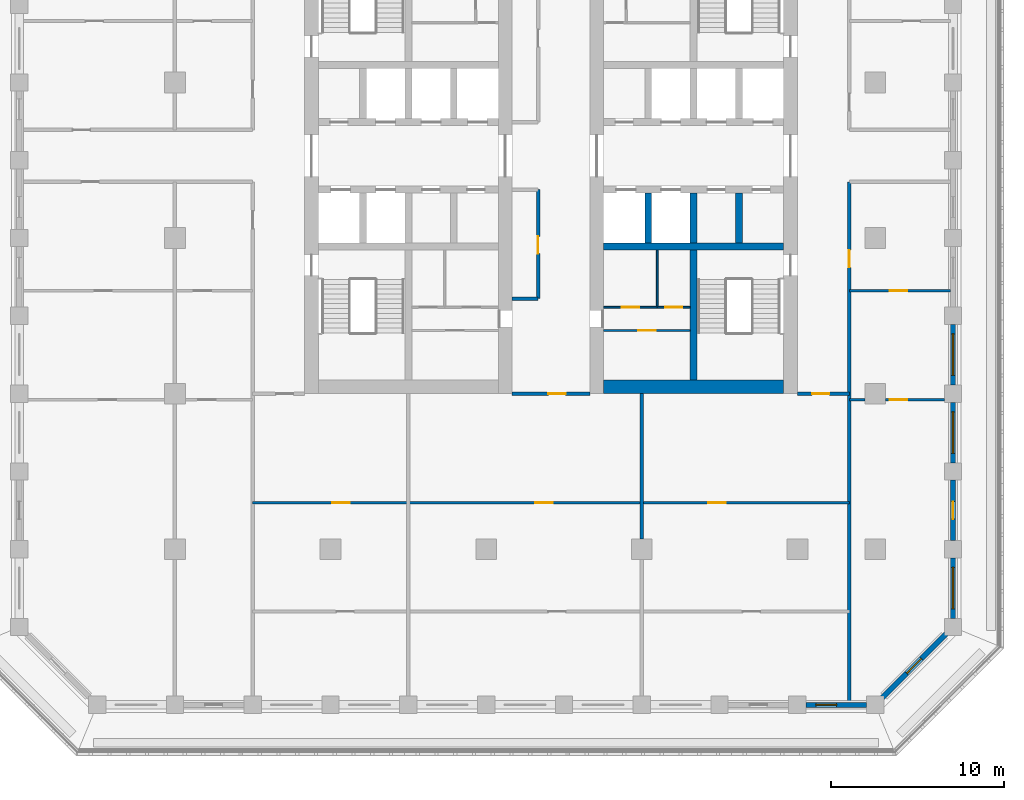
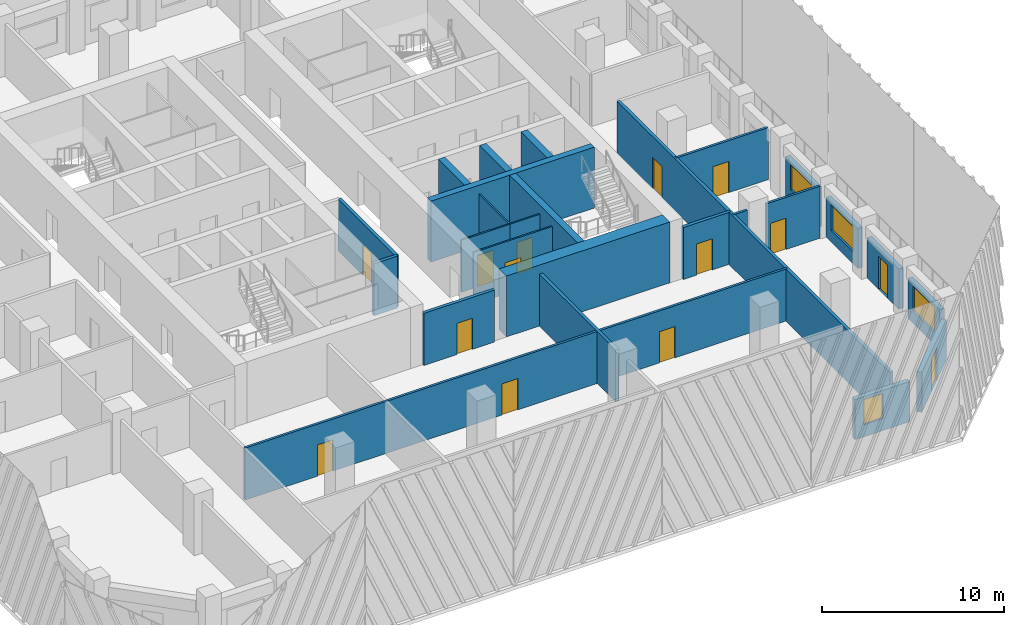
# One storey, part 4 of 18: 26 walls, 14 doors, 4 windows, 18 openings.
"""IFC4 building model written with IfcOpenShell, lengths in metres."""

from ifc_helpers import new_model, si_unit, direction, frame, frame_2d, origin, place, context, subcontext, project, spatial, rectangle, extrude, material, layer, layer_set, type_object, element, fill, save


model = new_model("IFC4")

# Units and contexts
model_context = context("Model", 3, precision=1e-05, world=origin(), true_north=direction((0.0, 1.0)))
body_context = subcontext(model_context, "Body", "Model", "MODEL_VIEW")
ifc_project = project(units=[si_unit("LENGTHUNIT", "METRE"), si_unit("AREAUNIT", "SQUARE_METRE"), si_unit("VOLUMEUNIT", "CUBIC_METRE"), si_unit("PLANEANGLEUNIT", "RADIAN"), si_unit("MASSUNIT", "GRAM", prefix="KILO")], contexts=[model_context])

# Site, building, storey
site_placement = place(None, origin())
site = spatial("IfcSite", under=ifc_project, at=site_placement, CompositionType="ELEMENT")
building_placement = place(site_placement, origin())
building = spatial("IfcBuilding", under=site, at=building_placement, Name="Corbel Stack Research Tower", CompositionType="ELEMENT")
storey_placement = place(building_placement, frame((0.0, 0.0, 181.39990234375)))
storey = spatial("IfcBuildingStorey", under=building, at=storey_placement, Name="L41", CompositionType="ELEMENT", Elevation=181.39990234375)

# Walls
ifc_material_1 = material(Name="Concrete C60/75", Category="concrete")
ifc_layer_1 = layer(ifc_material_1, 0.39990234375)
ifc_layer_set_1 = layer_set([ifc_layer_1], Name="Concrete C60/75")
wall_type_1 = type_object("IfcWallType", Name="CW-400-60", PredefinedType="SHEAR", material=ifc_layer_set_1)
wall_1_placement = place(storey_placement, frame((6.800048828125, -0.5, 0.0), z_axis=(0.0, 0.0, 1.0), x_axis=(1.0, 0.0, 0.0)))
element("IfcWall", 1, at=wall_1_placement, inside=storey, type_object=wall_type_1, Name="East core wall, south row back L41", PredefinedType="SHEAR", context=body_context, shape_type="SweptSolid", body=[
    extrude(rectangle(XDim=10.39990234375, YDim=0.39990234375, at=frame_2d((5.199951171875, 0.0))), origin(), (0.0, 0.0, 1.0), 4.10009765625),
])
for number, where, z_axis, x_axis, name in (
    (2, (9.375, -0.300048828125, 0.0), (0.0, 0.0, 1.0), (0.0, 1.0, 0.0), "East core wall, south shaft 1 L41"),
    (3, (12.0, -0.300048828125, 0.0), (0.0, 0.0, 1.0), (0.0, 1.0, 0.0), "East core wall, south shaft 2 L41"),
    (4, (14.625, -0.300048828125, 0.0), (0.0, 0.0, 1.0), (0.0, 1.0, 0.0), "East core wall, south shaft 3 L41"),
):
    element("IfcWall", number, at=place(storey_placement, frame(where, z_axis=z_axis, x_axis=x_axis)), inside=storey, type_object=wall_type_1, Name=name, PredefinedType="SHEAR", context=body_context, shape_type="SweptSolid", body=[
        extrude(rectangle(XDim=2.900146484375, YDim=0.39990234375, at=frame_2d((1.4501953125, 0.0))), origin(), (0.0, 0.0, 1.0), 4.10009765625),
    ])
wall_2_placement = place(storey_placement, frame((12.0, -8.199951171875, 0.0), z_axis=(0.0, 0.0, 1.0), x_axis=(0.0, 1.0, 0.0)))
element("IfcWall", 5, at=wall_2_placement, inside=storey, type_object=wall_type_1, Name="East core wall, south stair and WC L41", PredefinedType="SHEAR", context=body_context, shape_type="SweptSolid", body=[
    extrude(rectangle(XDim=7.5, YDim=0.39990234375, at=frame_2d((3.75, 0.0))), origin(), (0.0, 0.0, 1.0), 4.10009765625),
])
ifc_material_2 = material(Name="Concrete C60/75", Category="concrete")
ifc_layer_2 = layer(ifc_material_2, 0.800048828125)
ifc_layer_set_2 = layer_set([ifc_layer_2], Name="Concrete C60/75")
wall_type_2 = type_object("IfcWallType", Name="CW-800-60", PredefinedType="SHEAR", material=ifc_layer_set_2)
wall_3_placement = place(storey_placement, frame((6.800048828125, -8.60009765625, 0.0), z_axis=(0.0, 0.0, 1.0), x_axis=(1.0, 0.0, 0.0)))
element("IfcWall", 6, at=wall_3_placement, inside=storey, type_object=wall_type_2, Name="East core wall, south end L41", PredefinedType="SHEAR", context=body_context, shape_type="SweptSolid", body=[
    extrude(rectangle(XDim=10.39990234375, YDim=0.800048828125, at=frame_2d((5.199951171875, 0.0))), origin(), (0.0, 0.0, 1.0), 4.10009765625),
])

# Wall, opening, door
ifc_material_3 = material(Name="Gypsum board")
ifc_layer_3 = layer(ifc_material_3, 0.10009765625)
ifc_layer_set_3 = layer_set([ifc_layer_3], Name="Gypsum board")
wall_type_3 = type_object("IfcWallType", Name="Core partition 100", PredefinedType="PARTITIONING", material=ifc_layer_set_3)
wall_4_placement = place(storey_placement, frame((6.800048828125, -5.35009765625, 0.0), z_axis=(0.0, 0.0, 1.0), x_axis=(1.0, 0.0, 0.0)))
wall_4 = element("IfcWall", 7, at=wall_4_placement, inside=storey, type_object=wall_type_3, Name="Core partition E", PredefinedType="PARTITIONING", context=body_context, shape_type="SweptSolid", body=[
    extrude(rectangle(XDim=5.0, YDim=0.10009765625, at=frame_2d((2.5, 0.0))), origin(), (0.0, 0.0, 1.0), 3.5),
])
opening_1_placement = place(wall_4_placement, frame((2.0, 0.0, 0.0)))
opening_1 = element("IfcOpeningElement", 8, at=opening_1_placement, cuts=wall_4, Name="Opening CR-E24-W2-1000", PredefinedType="OPENING", context=body_context, shape_type="SweptSolid", body=[
    extrude(rectangle(XDim=1.0, YDim=2.10009765625, at=frame_2d((0.5, 1.050048828125))), frame((0.0, 0.06005859375, 0.0), z_axis=(0.0, -1.0, 0.0), x_axis=(1.0, 0.0, 0.0)), (0.0, 0.0, 1.0), 0.1201171875),
])
ifc_material_4 = material(Name="Painted timber door", Category="wood")
door_type_1 = type_object("IfcDoorType", Name="WC door 1000 x 2100 left hand", OperationType="SINGLE_SWING_LEFT", PredefinedType="DOOR", material=ifc_material_4)
door_1_placement = place(opening_1_placement, origin())
door_1 = element("IfcDoor", 9, at=door_1_placement, inside=storey, type_object=door_type_1, Name="Men's WC door E core", OperationType="SINGLE_SWING_LEFT", OverallHeight=2.10009765625, OverallWidth=1.0, PredefinedType="DOOR", context=body_context, shape_type="SweptSolid", body=[
    extrude(rectangle(XDim=1.0, YDim=2.10009765625, at=frame_2d((0.5, 1.050048828125))), frame((0.0, 0.02490234375, 0.0), z_axis=(0.0, -1.0, 0.0), x_axis=(1.0, 0.0, 0.0)), (0.0, 0.0, 1.0), 0.050048828125),
])
fill(opening_1, door_1)

wall_5_placement = place(storey_placement, frame((6.800048828125, -4.0, 0.0), z_axis=(0.0, 0.0, 1.0), x_axis=(1.0, 0.0, 0.0)))
wall_5 = element("IfcWall", 10, at=wall_5_placement, inside=storey, type_object=wall_type_3, Name="Core partition E", PredefinedType="PARTITIONING", context=body_context, shape_type="SweptSolid", body=[
    extrude(rectangle(XDim=3.099853515625, YDim=0.10009765625, at=frame_2d((1.5498046875, 0.0))), origin(), (0.0, 0.0, 1.0), 3.5),
])
opening_2_placement = place(wall_5_placement, frame((1.050048828125, 0.0, 0.0)))
opening_2 = element("IfcOpeningElement", 11, at=opening_2_placement, cuts=wall_5, Name="Opening CR-E24-W3-1000", PredefinedType="OPENING", context=body_context, shape_type="SweptSolid", body=[
    extrude(rectangle(XDim=1.0, YDim=2.10009765625, at=frame_2d((0.5, 1.050048828125))), frame((0.0, 0.06005859375, 0.0), z_axis=(0.0, -1.0, 0.0), x_axis=(1.0, 0.0, 0.0)), (0.0, 0.0, 1.0), 0.1201171875),
])
ifc_material_5 = material(Name="Painted timber door", Category="wood")
door_type_2 = type_object("IfcDoorType", Name="WC door 1000 x 2100 right hand", OperationType="SINGLE_SWING_RIGHT", PredefinedType="DOOR", material=ifc_material_5)
door_2_placement = place(opening_2_placement, origin())
door_2 = element("IfcDoor", 12, at=door_2_placement, inside=storey, type_object=door_type_2, Name="Women's WC door E core", OperationType="SINGLE_SWING_RIGHT", OverallHeight=2.10009765625, OverallWidth=1.0, PredefinedType="DOOR", context=body_context, shape_type="SweptSolid", body=[
    extrude(rectangle(XDim=1.0, YDim=2.10009765625, at=frame_2d((0.5, 1.050048828125))), frame((0.0, 0.02490234375, 0.0), z_axis=(0.0, -1.0, 0.0), x_axis=(1.0, 0.0, 0.0)), (0.0, 0.0, 1.0), 0.050048828125),
])
fill(opening_2, door_2)

wall_6_placement = place(storey_placement, frame((9.89990234375, -4.0, 0.0), z_axis=(0.0, 0.0, 1.0), x_axis=(1.0, 0.0, 0.0)))
wall_6 = element("IfcWall", 13, at=wall_6_placement, inside=storey, type_object=wall_type_3, Name="Core partition E", PredefinedType="PARTITIONING", context=body_context, shape_type="SweptSolid", body=[
    extrude(rectangle(XDim=1.900146484375, YDim=0.10009765625, at=frame_2d((0.9501953125, 0.0))), origin(), (0.0, 0.0, 1.0), 3.5),
])
opening_3_placement = place(wall_6_placement, frame((0.449951171875, 0.0, 0.0)))
opening_3 = element("IfcOpeningElement", 14, at=opening_3_placement, cuts=wall_6, Name="Opening CR-E24-W4-1000", PredefinedType="OPENING", context=body_context, shape_type="SweptSolid", body=[
    extrude(rectangle(XDim=1.0, YDim=2.10009765625, at=frame_2d((0.5, 1.050048828125))), frame((0.0, 0.06005859375, 0.0), z_axis=(0.0, -1.0, 0.0), x_axis=(1.0, 0.0, 0.0)), (0.0, 0.0, 1.0), 0.1201171875),
])
door_3_placement = place(opening_3_placement, origin())
door_3 = element("IfcDoor", 15, at=door_3_placement, inside=storey, type_object=door_type_1, Name="Accessible WC door E core", OperationType="SINGLE_SWING_LEFT", OverallHeight=2.10009765625, OverallWidth=1.0, PredefinedType="DOOR", context=body_context, shape_type="SweptSolid", body=[
    extrude(rectangle(XDim=1.0, YDim=2.10009765625, at=frame_2d((0.5, 1.050048828125))), frame((0.0, 0.02490234375, 0.0), z_axis=(0.0, -1.0, 0.0), x_axis=(1.0, 0.0, 0.0)), (0.0, 0.0, 1.0), 0.050048828125),
])
fill(opening_3, door_3)

# Wall
wall_7_placement = place(storey_placement, frame((9.89990234375, -4.0, 0.0), z_axis=(0.0, 0.0, 1.0), x_axis=(0.0, 1.0, 0.0)))
element("IfcWall", 16, at=wall_7_placement, inside=storey, type_object=wall_type_3, Name="Core partition E", PredefinedType="PARTITIONING", context=body_context, shape_type="SweptSolid", body=[
    extrude(rectangle(XDim=3.300048828125, YDim=0.10009765625, at=frame_2d((1.64990234375, 0.0))), origin(), (0.0, 0.0, 1.0), 3.5),
])

# Wall, opening, door
ifc_material_6 = material(Name="Fire-rated gypsum board partition on steel studs", Category="steel")
ifc_layer_4 = layer(ifc_material_6, 0.199951171875)
ifc_layer_set_4 = layer_set([ifc_layer_4], Name="Fire-rated gypsum board partition on steel studs")
wall_type_4 = type_object("IfcWallType", Name="Fire-rated partition 200 EI 60", PredefinedType="PARTITIONING", material=ifc_layer_set_4)
wall_8_placement = place(storey_placement, frame((3.0, -3.5, 0.0), z_axis=(0.0, 0.0, 1.0), x_axis=(0.0, 1.0, 0.0)))
wall_8 = element("IfcWall", 17, at=wall_8_placement, inside=storey, type_object=wall_type_4, Name="Partition L41-013", PredefinedType="PARTITIONING", context=body_context, shape_type="SweptSolid", body=[
    extrude(rectangle(XDim=6.300048828125, YDim=0.199951171875, at=frame_2d((3.14990234375, 0.0))), origin(), (0.0, 0.0, 1.0), 3.5),
])
opening_4_placement = place(wall_8_placement, frame((2.60009765625, 0.0, 0.0)))
opening_4 = element("IfcOpeningElement", 18, at=opening_4_placement, cuts=wall_8, Name="Opening B5V2-018", PredefinedType="OPENING", context=body_context, shape_type="SweptSolid", body=[
    extrude(rectangle(XDim=1.0, YDim=2.10009765625, at=frame_2d((0.5, 1.050048828125))), frame((0.0, 0.10986328125, 0.0), z_axis=(0.0, -1.0, 0.0), x_axis=(1.0, 0.0, 0.0)), (0.0, 0.0, 1.0), 0.219970703125),
])
ifc_material_7 = material(Name="Painted steel fire door", Category="steel")
door_type_3 = type_object("IfcDoorType", Name="Fire door FD30S 1000 x 2100", OperationType="NOTDEFINED", PredefinedType="DOOR", material=ifc_material_7)
door_4_placement = place(opening_4_placement, origin())
door_4 = element("IfcDoor", 19, at=door_4_placement, inside=storey, type_object=door_type_3, Name="Door B5V2-018", OperationType="SINGLE_SWING_LEFT", OverallHeight=2.10009765625, OverallWidth=1.0, PredefinedType="DOOR", context=body_context, shape_type="SweptSolid", body=[
    extrude(rectangle(XDim=1.0, YDim=2.10009765625, at=frame_2d((0.5, 1.050048828125))), frame((0.0, 0.02490234375, 0.0), z_axis=(0.0, -1.0, 0.0), x_axis=(1.0, 0.0, 0.0)), (0.0, 0.0, 1.0), 0.050048828125),
])
fill(opening_4, door_4)

# Wall
wall_9_placement = place(storey_placement, frame((9.0, -17.39990234375, 0.0), z_axis=(0.0, 0.0, 1.0), x_axis=(0.0, 1.0, 0.0)))
element("IfcWall", 20, at=wall_9_placement, inside=storey, type_object=wall_type_4, Name="Partition L41-016", PredefinedType="PARTITIONING", context=body_context, shape_type="SweptSolid", body=[
    extrude(rectangle(XDim=8.39990234375, YDim=0.199951171875, at=frame_2d((4.199951171875, 0.0))), origin(), (0.0, 0.0, 1.0), 3.5),
])

# Wall, opening, door
wall_10_placement = place(storey_placement, frame((21.0, 3.25, 0.0), z_axis=(0.0, 0.0, 1.0), x_axis=(0.0, -1.0, 0.0)))
wall_10 = element("IfcWall", 21, at=wall_10_placement, inside=storey, type_object=wall_type_4, Name="Partition L41-019", PredefinedType="PARTITIONING", context=body_context, shape_type="SweptSolid", body=[
    extrude(rectangle(XDim=30.10009765625, YDim=0.199951171875, at=frame_2d((15.050048828125, 0.0))), origin(), (0.0, 0.0, 1.0), 3.5),
])
opening_5_placement = place(wall_10_placement, frame((3.949951171875, 0.0, 0.0)))
opening_5 = element("IfcOpeningElement", 22, at=opening_5_placement, cuts=wall_10, Name="Opening B5V2-031", PredefinedType="OPENING", context=body_context, shape_type="SweptSolid", body=[
    extrude(rectangle(XDim=1.0, YDim=2.10009765625, at=frame_2d((0.5, 1.050048828125))), frame((0.0, 0.10986328125, 0.0), z_axis=(0.0, -1.0, 0.0), x_axis=(1.0, 0.0, 0.0)), (0.0, 0.0, 1.0), 0.219970703125),
])
door_5_placement = place(opening_5_placement, origin())
door_5 = element("IfcDoor", 23, at=door_5_placement, inside=storey, type_object=door_type_3, Name="Door B5V2-031", OperationType="SINGLE_SWING_LEFT", OverallHeight=2.10009765625, OverallWidth=1.0, PredefinedType="DOOR", context=body_context, shape_type="SweptSolid", body=[
    extrude(rectangle(XDim=1.0, YDim=2.10009765625, at=frame_2d((0.5, 1.050048828125))), frame((0.0, 0.02490234375, 0.0), z_axis=(0.0, -1.0, 0.0), x_axis=(1.0, 0.0, 0.0)), (0.0, 0.0, 1.0), 0.050048828125),
])
fill(opening_5, door_5)

wall_11_placement = place(storey_placement, frame((6.0, -9.0, 0.0), z_axis=(0.0, 0.0, 1.0), x_axis=(-1.0, 0.0, 0.0)))
wall_11 = element("IfcWall", 24, at=wall_11_placement, inside=storey, type_object=wall_type_4, Name="Partition L41-028", PredefinedType="PARTITIONING", context=body_context, shape_type="SweptSolid", body=[
    extrude(rectangle(XDim=4.5, YDim=0.199951171875, at=frame_2d((2.25, 0.0))), origin(), (0.0, 0.0, 1.0), 3.5),
])
opening_6_placement = place(wall_11_placement, frame((1.39990234375, 0.0, 0.0)))
opening_6 = element("IfcOpeningElement", 25, at=opening_6_placement, cuts=wall_11, Name="Opening B5V2-013", PredefinedType="OPENING", context=body_context, shape_type="SweptSolid", body=[
    extrude(rectangle(XDim=1.0, YDim=2.10009765625, at=frame_2d((0.5, 1.050048828125))), frame((0.0, 0.10986328125, 0.0), z_axis=(0.0, -1.0, 0.0), x_axis=(1.0, 0.0, 0.0)), (0.0, 0.0, 1.0), 0.219970703125),
])
door_6_placement = place(opening_6_placement, origin())
door_6 = element("IfcDoor", 26, at=door_6_placement, inside=storey, type_object=door_type_3, Name="Door B5V2-013", OperationType="SINGLE_SWING_LEFT", OverallHeight=2.10009765625, OverallWidth=1.0, PredefinedType="DOOR", context=body_context, shape_type="SweptSolid", body=[
    extrude(rectangle(XDim=1.0, YDim=2.10009765625, at=frame_2d((0.5, 1.050048828125))), frame((0.0, 0.02490234375, 0.0), z_axis=(0.0, -1.0, 0.0), x_axis=(1.0, 0.0, 0.0)), (0.0, 0.0, 1.0), 0.050048828125),
])
fill(opening_6, door_6)

wall_12_placement = place(storey_placement, frame((21.0, -9.0, 0.0), z_axis=(0.0, 0.0, 1.0), x_axis=(-1.0, 0.0, 0.0)))
wall_12 = element("IfcWall", 27, at=wall_12_placement, inside=storey, type_object=wall_type_4, Name="Partition L41-029", PredefinedType="PARTITIONING", context=body_context, shape_type="SweptSolid", body=[
    extrude(rectangle(XDim=3.0, YDim=0.199951171875, at=frame_2d((1.5, 0.0))), origin(), (0.0, 0.0, 1.0), 3.5),
])
opening_7_placement = place(wall_12_placement, frame((1.14990234375, 0.0, 0.0)))
opening_7 = element("IfcOpeningElement", 28, at=opening_7_placement, cuts=wall_12, Name="Opening B5V2-014", PredefinedType="OPENING", context=body_context, shape_type="SweptSolid", body=[
    extrude(rectangle(XDim=1.0, YDim=2.10009765625, at=frame_2d((0.5, 1.050048828125))), frame((0.0, 0.10986328125, 0.0), z_axis=(0.0, -1.0, 0.0), x_axis=(1.0, 0.0, 0.0)), (0.0, 0.0, 1.0), 0.219970703125),
])
door_7_placement = place(opening_7_placement, origin())
door_7 = element("IfcDoor", 29, at=door_7_placement, inside=storey, type_object=door_type_3, Name="Door B5V2-014", OperationType="SINGLE_SWING_RIGHT", OverallHeight=2.10009765625, OverallWidth=1.0, PredefinedType="DOOR", context=body_context, shape_type="SweptSolid", body=[
    extrude(rectangle(XDim=1.0, YDim=2.10009765625, at=frame_2d((0.5, 1.050048828125))), frame((0.0, 0.02490234375, 0.0), z_axis=(0.0, -1.0, 0.0), x_axis=(1.0, 0.0, 0.0)), (0.0, 0.0, 1.0), 0.050048828125),
])
fill(opening_7, door_7)

# Wall
wall_13_placement = place(storey_placement, frame((1.5, -3.5, 0.0), z_axis=(0.0, 0.0, 1.0), x_axis=(1.0, 0.0, 0.0)))
element("IfcWall", 30, at=wall_13_placement, inside=storey, type_object=wall_type_4, Name="Partition L41-030", PredefinedType="PARTITIONING", context=body_context, shape_type="SweptSolid", body=[
    extrude(rectangle(XDim=1.5, YDim=0.199951171875, at=frame_2d((0.75, 0.0))), origin(), (0.0, 0.0, 1.0), 3.5),
])

# Wall, openings, doors
ifc_material_8 = material(Name="Gypsum board partition on steel studs", Category="steel")
ifc_layer_5 = layer(ifc_material_8, 0.14990234375)
ifc_layer_set_5 = layer_set([ifc_layer_5], Name="Gypsum board partition on steel studs")
wall_type_5 = type_object("IfcWallType", Name="Partition 150", PredefinedType="PARTITIONING", material=ifc_layer_set_5)
wall_14_placement = place(storey_placement, frame((21.0, -15.300048828125, 0.0), z_axis=(0.0, 0.0, 1.0), x_axis=(-1.0, 0.0, 0.0)))
wall_14 = element("IfcWall", 31, at=wall_14_placement, inside=storey, type_object=wall_type_5, Name="Partition L41-022", PredefinedType="PARTITIONING", context=body_context, shape_type="SweptSolid", body=[
    extrude(rectangle(XDim=34.5, YDim=0.14990234375, at=frame_2d((17.25, 0.0))), origin(), (0.0, 0.0, 1.0), 3.5),
])
opening_8_placement = place(wall_14_placement, frame((28.89990234375, 0.0, 0.0)))
opening_8 = element("IfcOpeningElement", 32, at=opening_8_placement, cuts=wall_14, Name="Opening B5V2-004", PredefinedType="OPENING", context=body_context, shape_type="SweptSolid", body=[
    extrude(rectangle(XDim=1.0, YDim=2.10009765625, at=frame_2d((0.5, 1.050048828125))), frame((0.0, 0.0849609375, 0.0), z_axis=(0.0, -1.0, 0.0), x_axis=(1.0, 0.0, 0.0)), (0.0, 0.0, 1.0), 0.169921875),
])
opening_9_placement = place(wall_14_placement, frame((17.14990234375, 0.0, 0.0)))
opening_9 = element("IfcOpeningElement", 33, at=opening_9_placement, cuts=wall_14, Name="Opening B5V2-005", PredefinedType="OPENING", context=body_context, shape_type="SweptSolid", body=[
    extrude(rectangle(XDim=1.0, YDim=2.10009765625, at=frame_2d((0.5, 1.050048828125))), frame((0.0, 0.0849609375, 0.0), z_axis=(0.0, -1.0, 0.0), x_axis=(1.0, 0.0, 0.0)), (0.0, 0.0, 1.0), 0.169921875),
])
opening_10_placement = place(wall_14_placement, frame((7.14990234375, 0.0, 0.0)))
opening_10 = element("IfcOpeningElement", 34, at=opening_10_placement, cuts=wall_14, Name="Opening B5V2-006", PredefinedType="OPENING", context=body_context, shape_type="SweptSolid", body=[
    extrude(rectangle(XDim=1.0, YDim=2.10009765625, at=frame_2d((0.5, 1.050048828125))), frame((0.0, 0.0849609375, 0.0), z_axis=(0.0, -1.0, 0.0), x_axis=(1.0, 0.0, 0.0)), (0.0, 0.0, 1.0), 0.169921875),
])
ifc_material_9 = material(Name="Painted timber door", Category="wood")
door_type_4 = type_object("IfcDoorType", Name="Single door 1000 x 2100", OperationType="NOTDEFINED", PredefinedType="DOOR", material=ifc_material_9)
door_8_placement = place(opening_8_placement, origin())
door_8 = element("IfcDoor", 35, at=door_8_placement, inside=storey, type_object=door_type_4, Name="Door B5V2-004", OperationType="SINGLE_SWING_RIGHT", OverallHeight=2.10009765625, OverallWidth=1.0, PredefinedType="DOOR", context=body_context, shape_type="SweptSolid", body=[
    extrude(rectangle(XDim=1.0, YDim=2.10009765625, at=frame_2d((0.5, 1.050048828125))), frame((0.0, 0.02490234375, 0.0), z_axis=(0.0, -1.0, 0.0), x_axis=(1.0, 0.0, 0.0)), (0.0, 0.0, 1.0), 0.050048828125),
])
fill(opening_8, door_8)
door_9_placement = place(opening_9_placement, origin())
door_9 = element("IfcDoor", 36, at=door_9_placement, inside=storey, type_object=door_type_4, Name="Door B5V2-005", OperationType="SINGLE_SWING_RIGHT", OverallHeight=2.10009765625, OverallWidth=1.0, PredefinedType="DOOR", context=body_context, shape_type="SweptSolid", body=[
    extrude(rectangle(XDim=1.0, YDim=2.10009765625, at=frame_2d((0.5, 1.050048828125))), frame((0.0, 0.02490234375, 0.0), z_axis=(0.0, -1.0, 0.0), x_axis=(1.0, 0.0, 0.0)), (0.0, 0.0, 1.0), 0.050048828125),
])
fill(opening_9, door_9)
door_10_placement = place(opening_10_placement, origin())
door_10 = element("IfcDoor", 37, at=door_10_placement, inside=storey, type_object=door_type_4, Name="Door B5V2-006", OperationType="SINGLE_SWING_LEFT", OverallHeight=2.10009765625, OverallWidth=1.0, PredefinedType="DOOR", context=body_context, shape_type="SweptSolid", body=[
    extrude(rectangle(XDim=1.0, YDim=2.10009765625, at=frame_2d((0.5, 1.050048828125))), frame((0.0, 0.02490234375, 0.0), z_axis=(0.0, -1.0, 0.0), x_axis=(1.0, 0.0, 0.0)), (0.0, 0.0, 1.0), 0.050048828125),
])
fill(opening_10, door_10)

# Wall
wall_15_placement = place(storey_placement, frame((21.0, -9.35009765625, 0.0), z_axis=(0.0, 0.0, 1.0), x_axis=(1.0, 0.0, 0.0)))
element("IfcWall", 38, at=wall_15_placement, inside=storey, type_object=wall_type_5, Name="Partition L41-025", PredefinedType="PARTITIONING", context=body_context, shape_type="SweptSolid", body=[
    extrude(rectangle(XDim=0.89990234375, YDim=0.14990234375, at=frame_2d((0.449951171875, 0.0))), origin(), (0.0, 0.0, 1.0), 3.5),
])

# Wall, opening, door
wall_16_placement = place(storey_placement, frame((26.5, -9.35009765625, 0.0), z_axis=(0.0, 0.0, 1.0), x_axis=(-1.0, 0.0, 0.0)))
wall_16 = element("IfcWall", 39, at=wall_16_placement, inside=storey, type_object=wall_type_5, Name="Partition L41-026", PredefinedType="PARTITIONING", context=body_context, shape_type="SweptSolid", body=[
    extrude(rectangle(XDim=3.39990234375, YDim=0.14990234375, at=frame_2d((1.699951171875, 0.0))), origin(), (0.0, 0.0, 1.0), 3.5),
])
opening_11_placement = place(wall_16_placement, frame((2.14990234375, 0.0, 0.0)))
opening_11 = element("IfcOpeningElement", 40, at=opening_11_placement, cuts=wall_16, Name="Opening B5V2-011", PredefinedType="OPENING", context=body_context, shape_type="SweptSolid", body=[
    extrude(rectangle(XDim=1.0, YDim=2.10009765625, at=frame_2d((0.5, 1.050048828125))), frame((0.0, 0.0849609375, 0.0), z_axis=(0.0, -1.0, 0.0), x_axis=(1.0, 0.0, 0.0)), (0.0, 0.0, 1.0), 0.169921875),
])
door_11_placement = place(opening_11_placement, origin())
door_11 = element("IfcDoor", 41, at=door_11_placement, inside=storey, type_object=door_type_4, Name="Door B5V2-011", OperationType="SINGLE_SWING_RIGHT", OverallHeight=2.10009765625, OverallWidth=1.0, PredefinedType="DOOR", context=body_context, shape_type="SweptSolid", body=[
    extrude(rectangle(XDim=1.0, YDim=2.10009765625, at=frame_2d((0.5, 1.050048828125))), frame((0.0, 0.02490234375, 0.0), z_axis=(0.0, -1.0, 0.0), x_axis=(1.0, 0.0, 0.0)), (0.0, 0.0, 1.0), 0.050048828125),
])
fill(opening_11, door_11)

wall_17_placement = place(storey_placement, frame((26.85009765625, -3.050048828125, 0.0), z_axis=(0.0, 0.0, 1.0), x_axis=(-1.0, 0.0, 0.0)))
wall_17 = element("IfcWall", 42, at=wall_17_placement, inside=storey, type_object=wall_type_5, Name="Partition L41-032", PredefinedType="PARTITIONING", context=body_context, shape_type="SweptSolid", body=[
    extrude(rectangle(XDim=5.85009765625, YDim=0.14990234375, at=frame_2d((2.925048828125, 0.0))), origin(), (0.0, 0.0, 1.0), 3.5),
])
opening_12_placement = place(wall_17_placement, frame((2.5, 0.0, 0.0)))
opening_12 = element("IfcOpeningElement", 43, at=opening_12_placement, cuts=wall_17, Name="Opening B5V2-017", PredefinedType="OPENING", context=body_context, shape_type="SweptSolid", body=[
    extrude(rectangle(XDim=1.0, YDim=2.10009765625, at=frame_2d((0.5, 1.050048828125))), frame((0.0, 0.0849609375, 0.0), z_axis=(0.0, -1.0, 0.0), x_axis=(1.0, 0.0, 0.0)), (0.0, 0.0, 1.0), 0.169921875),
])
door_12_placement = place(opening_12_placement, origin())
door_12 = element("IfcDoor", 44, at=door_12_placement, inside=storey, type_object=door_type_4, Name="Door B5V2-017", OperationType="SINGLE_SWING_RIGHT", OverallHeight=2.10009765625, OverallWidth=1.0, PredefinedType="DOOR", context=body_context, shape_type="SweptSolid", body=[
    extrude(rectangle(XDim=1.0, YDim=2.10009765625, at=frame_2d((0.5, 1.050048828125))), frame((0.0, 0.02490234375, 0.0), z_axis=(0.0, -1.0, 0.0), x_axis=(1.0, 0.0, 0.0)), (0.0, 0.0, 1.0), 0.050048828125),
])
fill(opening_12, door_12)

# Wall, opening, window
ifc_material_10 = material(Name="Concrete C45/55", Category="concrete")
ifc_layer_6 = layer(ifc_material_10, 0.300048828125)
ifc_layer_set_6 = layer_set([ifc_layer_6], Name="Concrete C45/55")
wall_type_6 = type_object("IfcWallType", Name="Terracotta-faced concrete wall 300", PredefinedType="SOLIDWALL", material=ifc_layer_set_6)
wall_18_placement = place(storey_placement, frame((22.0, -27.0, 0.0), z_axis=(0.0, 0.0, 1.0), x_axis=(-1.0, 0.0, 0.0)))
wall_18 = element("IfcWall", 45, at=wall_18_placement, inside=storey, type_object=wall_type_6, Name="Facade wall L41 S10", PredefinedType="SOLIDWALL", context=body_context, shape_type="SweptSolid", body=[
    extrude(rectangle(XDim=3.5, YDim=0.300048828125, at=frame_2d((1.75, 0.0))), origin(), (0.0, 0.0, 1.0), 2.7001953125),
])
opening_13_placement = place(wall_18_placement, frame((1.72509765625, 0.0, 0.800048828125)))
opening_13 = element("IfcOpeningElement", 46, at=opening_13_placement, cuts=wall_18, Name="Opening W2", PredefinedType="OPENING", context=body_context, shape_type="SweptSolid", body=[
    extrude(rectangle(XDim=1.199951171875, YDim=1.699951171875, at=frame_2d((0.60009765625, 0.85009765625))), frame((0.0, 0.159912109375, 0.0), z_axis=(0.0, -1.0, 0.0), x_axis=(1.0, 0.0, 0.0)), (0.0, 0.0, 1.0), 0.320068359375),
])
ifc_material_11 = material(Name="Aluminium frame, clear double glazing", Category="aluminium")
window_type_1 = type_object("IfcWindowType", Name="Window W2 1200 x 1700", PartitioningType="SINGLE_PANEL", PredefinedType="WINDOW", material=ifc_material_11)
window_1_placement = place(opening_13_placement, origin())
window_1 = element("IfcWindow", 47, at=window_1_placement, inside=storey, type_object=window_type_1, Name="Window W2 L41 S10", OverallHeight=1.699951171875, OverallWidth=1.199951171875, PartitioningType="SINGLE_PANEL", PredefinedType="WINDOW", context=body_context, shape_type="SweptSolid", body=[
    extrude(rectangle(XDim=1.199951171875, YDim=1.699951171875, at=frame_2d((0.60009765625, 0.85009765625))), frame((0.0, 0.030029296875, 0.0), z_axis=(0.0, -1.0, 0.0), x_axis=(1.0, 0.0, 0.0)), (0.0, 0.0, 1.0), 0.06005859375),
])
fill(opening_13, window_1)

# Wall, opening, door
wall_19_placement = place(storey_placement, frame((26.606201171875, -22.893798828125, 0.0), z_axis=(0.0, 0.0, 1.0), x_axis=(-0.707106781187, -0.707106781187, 0.0)))
wall_19 = element("IfcWall", 48, at=wall_19_placement, inside=storey, type_object=wall_type_6, Name="Facade wall L41 SE01", PredefinedType="SOLIDWALL", context=body_context, shape_type="SweptSolid", body=[
    extrude(rectangle(XDim=5.250244140625, YDim=0.300048828125, at=frame_2d((2.625, 0.0))), origin(), (0.0, 0.0, 1.0), 2.7001953125),
])
opening_14_placement = place(wall_19_placement, frame((2.02490234375, 0.0, 0.0)))
opening_14 = element("IfcOpeningElement", 49, at=opening_14_placement, cuts=wall_19, Name="Opening L41-B03", PredefinedType="OPENING", context=body_context, shape_type="SweptSolid", body=[
    extrude(rectangle(XDim=1.199951171875, YDim=2.199951171875, at=frame_2d((0.60009765625, 1.10009765625))), frame((0.0, 0.159912109375, 0.0), z_axis=(0.0, -1.0, 0.0), x_axis=(1.0, 0.0, 0.0)), (0.0, 0.0, 1.0), 0.320068359375),
])
ifc_material_12 = material(Name="Aluminium frame, clear double glazing", Category="aluminium")
door_type_5 = type_object("IfcDoorType", Name="Balcony door BD2 1200 x 2200", OperationType="NOTDEFINED", PredefinedType="DOOR", material=ifc_material_12)
door_13_placement = place(opening_14_placement, origin())
door_13 = element("IfcDoor", 50, at=door_13_placement, inside=storey, type_object=door_type_5, Name="Balcony door L41-B03", OperationType="SINGLE_SWING_RIGHT", OverallHeight=2.199951171875, OverallWidth=1.199951171875, PredefinedType="DOOR", context=body_context, shape_type="SweptSolid", body=[
    extrude(rectangle(XDim=1.199951171875, YDim=2.199951171875, at=frame_2d((0.60009765625, 1.10009765625))), frame((0.0, 0.02490234375, 0.0), z_axis=(0.0, -1.0, 0.0), x_axis=(1.0, 0.0, 0.0)), (0.0, 0.0, 1.0), 0.050048828125),
])
fill(opening_14, door_13)

# Wall, opening, window
wall_20_placement = place(storey_placement, frame((27.0, -18.5, 0.0), z_axis=(0.0, 0.0, 1.0), x_axis=(0.0, -1.0, 0.0)))
wall_20 = element("IfcWall", 51, at=wall_20_placement, inside=storey, type_object=wall_type_6, Name="Facade wall L41 E01", PredefinedType="SOLIDWALL", context=body_context, shape_type="SweptSolid", body=[
    extrude(rectangle(XDim=3.5, YDim=0.300048828125, at=frame_2d((1.75, 0.0))), origin(), (0.0, 0.0, 1.0), 2.7001953125),
])
opening_15_placement = place(wall_20_placement, frame((0.550048828125, 0.0, 0.800048828125)))
opening_15 = element("IfcOpeningElement", 52, at=opening_15_placement, cuts=wall_20, Name="Opening W1", PredefinedType="OPENING", context=body_context, shape_type="SweptSolid", body=[
    extrude(rectangle(XDim=2.39990234375, YDim=1.699951171875, at=frame_2d((1.199951171875, 0.85009765625))), frame((0.0, 0.159912109375, 0.0), z_axis=(0.0, -1.0, 0.0), x_axis=(1.0, 0.0, 0.0)), (0.0, 0.0, 1.0), 0.320068359375),
])
ifc_material_13 = material(Name="Aluminium frame, clear double glazing", Category="aluminium")
window_type_2 = type_object("IfcWindowType", Name="Window W1 2400 x 1700", PartitioningType="SINGLE_PANEL", PredefinedType="WINDOW", material=ifc_material_13)
window_2_placement = place(opening_15_placement, origin())
window_2 = element("IfcWindow", 53, at=window_2_placement, inside=storey, type_object=window_type_2, Name="Window W1 L41 E01", OverallHeight=1.699951171875, OverallWidth=2.39990234375, PartitioningType="SINGLE_PANEL", PredefinedType="WINDOW", context=body_context, shape_type="SweptSolid", body=[
    extrude(rectangle(XDim=2.39990234375, YDim=1.699951171875, at=frame_2d((1.199951171875, 0.85009765625))), frame((0.0, 0.030029296875, 0.0), z_axis=(0.0, -1.0, 0.0), x_axis=(1.0, 0.0, 0.0)), (0.0, 0.0, 1.0), 0.06005859375),
])
fill(opening_15, window_2)

# Wall, opening, door
wall_21_placement = place(storey_placement, frame((27.0, -14.0, 0.0), z_axis=(0.0, 0.0, 1.0), x_axis=(0.0, -1.0, 0.0)))
wall_21 = element("IfcWall", 54, at=wall_21_placement, inside=storey, type_object=wall_type_6, Name="Facade wall L41 E02", PredefinedType="SOLIDWALL", context=body_context, shape_type="SweptSolid", body=[
    extrude(rectangle(XDim=3.5, YDim=0.300048828125, at=frame_2d((1.75, 0.0))), origin(), (0.0, 0.0, 1.0), 2.7001953125),
])
opening_16_placement = place(wall_21_placement, frame((1.25, 0.0, 0.0)))
opening_16 = element("IfcOpeningElement", 55, at=opening_16_placement, cuts=wall_21, Name="Opening L41-B04", PredefinedType="OPENING", context=body_context, shape_type="SweptSolid", body=[
    extrude(rectangle(XDim=1.0, YDim=2.199951171875, at=frame_2d((0.5, 1.10009765625))), frame((0.0, 0.159912109375, 0.0), z_axis=(0.0, -1.0, 0.0), x_axis=(1.0, 0.0, 0.0)), (0.0, 0.0, 1.0), 0.320068359375),
])
ifc_material_14 = material(Name="Aluminium frame, clear double glazing", Category="aluminium")
door_type_6 = type_object("IfcDoorType", Name="Balcony door BD1 1000 x 2200", OperationType="NOTDEFINED", PredefinedType="DOOR", material=ifc_material_14)
door_14_placement = place(opening_16_placement, origin())
door_14 = element("IfcDoor", 56, at=door_14_placement, inside=storey, type_object=door_type_6, Name="Balcony door L41-B04", OperationType="SINGLE_SWING_LEFT", OverallHeight=2.199951171875, OverallWidth=1.0, PredefinedType="DOOR", context=body_context, shape_type="SweptSolid", body=[
    extrude(rectangle(XDim=1.0, YDim=2.199951171875, at=frame_2d((0.5, 1.10009765625))), frame((0.0, 0.02490234375, 0.0), z_axis=(0.0, -1.0, 0.0), x_axis=(1.0, 0.0, 0.0)), (0.0, 0.0, 1.0), 0.050048828125),
])
fill(opening_16, door_14)

# Wall, opening, window
wall_22_placement = place(storey_placement, frame((27.0, -9.5, 0.0), z_axis=(0.0, 0.0, 1.0), x_axis=(0.0, -1.0, 0.0)))
wall_22 = element("IfcWall", 57, at=wall_22_placement, inside=storey, type_object=wall_type_6, Name="Facade wall L41 E03", PredefinedType="SOLIDWALL", context=body_context, shape_type="SweptSolid", body=[
    extrude(rectangle(XDim=3.5, YDim=0.300048828125, at=frame_2d((1.75, 0.0))), origin(), (0.0, 0.0, 1.0), 2.7001953125),
])
opening_17_placement = place(wall_22_placement, frame((0.550048828125, 0.0, 0.800048828125)))
opening_17 = element("IfcOpeningElement", 58, at=opening_17_placement, cuts=wall_22, Name="Opening W1", PredefinedType="OPENING", context=body_context, shape_type="SweptSolid", body=[
    extrude(rectangle(XDim=2.39990234375, YDim=1.699951171875, at=frame_2d((1.199951171875, 0.85009765625))), frame((0.0, 0.159912109375, 0.0), z_axis=(0.0, -1.0, 0.0), x_axis=(1.0, 0.0, 0.0)), (0.0, 0.0, 1.0), 0.320068359375),
])
window_3_placement = place(opening_17_placement, origin())
window_3 = element("IfcWindow", 59, at=window_3_placement, inside=storey, type_object=window_type_2, Name="Window W1 L41 E03", OverallHeight=1.699951171875, OverallWidth=2.39990234375, PartitioningType="SINGLE_PANEL", PredefinedType="WINDOW", context=body_context, shape_type="SweptSolid", body=[
    extrude(rectangle(XDim=2.39990234375, YDim=1.699951171875, at=frame_2d((1.199951171875, 0.85009765625))), frame((0.0, 0.030029296875, 0.0), z_axis=(0.0, -1.0, 0.0), x_axis=(1.0, 0.0, 0.0)), (0.0, 0.0, 1.0), 0.06005859375),
])
fill(opening_17, window_3)

wall_23_placement = place(storey_placement, frame((27.0, -5.0, 0.0), z_axis=(0.0, 0.0, 1.0), x_axis=(0.0, -1.0, 0.0)))
wall_23 = element("IfcWall", 60, at=wall_23_placement, inside=storey, type_object=wall_type_6, Name="Facade wall L41 E04", PredefinedType="SOLIDWALL", context=body_context, shape_type="SweptSolid", body=[
    extrude(rectangle(XDim=3.5, YDim=0.300048828125, at=frame_2d((1.75, 0.0))), origin(), (0.0, 0.0, 1.0), 2.7001953125),
])
opening_18_placement = place(wall_23_placement, frame((0.550048828125, 0.0, 0.800048828125)))
opening_18 = element("IfcOpeningElement", 61, at=opening_18_placement, cuts=wall_23, Name="Opening W1", PredefinedType="OPENING", context=body_context, shape_type="SweptSolid", body=[
    extrude(rectangle(XDim=2.39990234375, YDim=1.699951171875, at=frame_2d((1.199951171875, 0.85009765625))), frame((0.0, 0.159912109375, 0.0), z_axis=(0.0, -1.0, 0.0), x_axis=(1.0, 0.0, 0.0)), (0.0, 0.0, 1.0), 0.320068359375),
])
window_4_placement = place(opening_18_placement, origin())
window_4 = element("IfcWindow", 62, at=window_4_placement, inside=storey, type_object=window_type_2, Name="Window W1 L41 E04", OverallHeight=1.699951171875, OverallWidth=2.39990234375, PartitioningType="SINGLE_PANEL", PredefinedType="WINDOW", context=body_context, shape_type="SweptSolid", body=[
    extrude(rectangle(XDim=2.39990234375, YDim=1.699951171875, at=frame_2d((1.199951171875, 0.85009765625))), frame((0.0, 0.030029296875, 0.0), z_axis=(0.0, -1.0, 0.0), x_axis=(1.0, 0.0, 0.0)), (0.0, 0.0, 1.0), 0.06005859375),
])
fill(opening_18, window_4)

save(model, "model.ifc")
